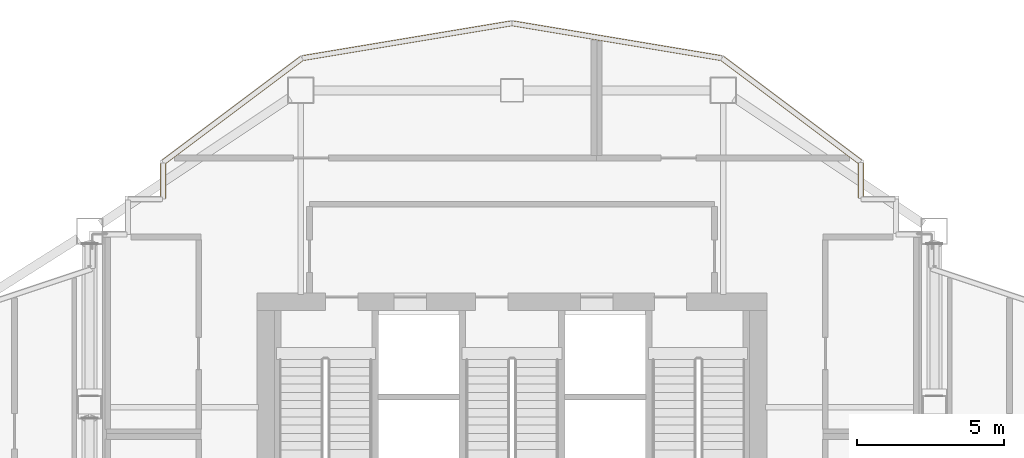
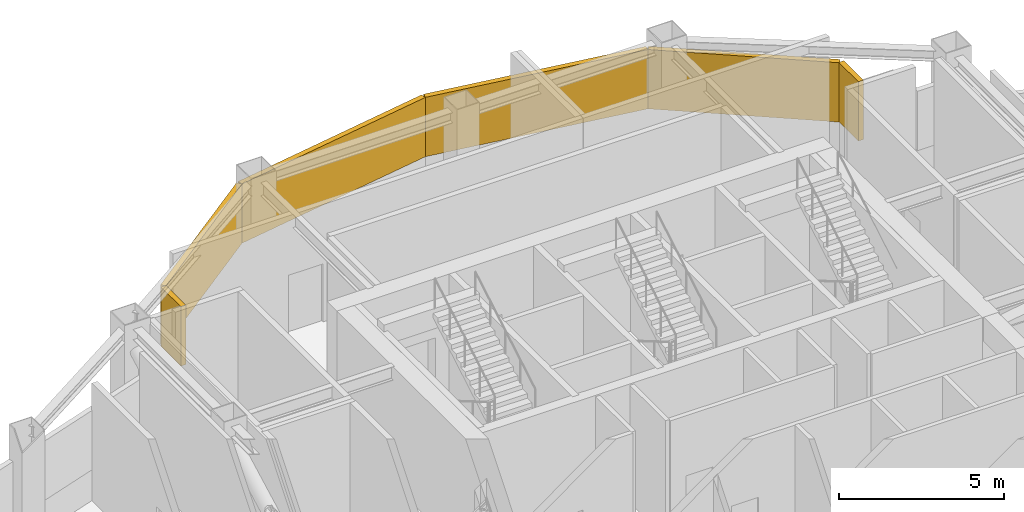
# One storey, part 19 of 19: 6 shading devices.
"""IFC4 building model written with IfcOpenShell, lengths in metres."""

import ifcopenshell
import ifcopenshell.guid

model = None  # the IFC model being written
_history = None  # IfcOwnerHistory: only IFC2X3 demands one
_inside = {}  # id of a spatial element -> (the spatial element, [elements in it])
_under = {}  # id of a project, library or spatial element -> (it, [spatial elements below it])
_declared = {}  # id of a project -> (the project, [libraries it declares])
_typed = {}  # id of a type object -> (the type object, [elements of that type])
_made_of = {}  # id of a material, layer set ... -> (it, [elements and type objects made of it])


def new_model(schema):
    """Start an empty IFC model of exactly this schema.

    Asked for "IFC4X3", IfcOpenShell would pick the latest addendum, in which some entities
    have other attributes; the version numbers below select the first issue.
    IFC2X3 requires an IfcOwnerHistory on every rooted entity: one is made here for all.
    """
    global model, _history
    if schema == "IFC4X3":
        model = ifcopenshell.file(schema_version=(4, 3, 0, 0))
    else:
        model = ifcopenshell.file(schema=schema)
    _inside.clear()
    _under.clear()
    _declared.clear()
    _typed.clear()
    _made_of.clear()
    _history = None
    if model.schema == "IFC2X3":
        org = make("IfcOrganization", Name="unknown")
        user = make(
            "IfcPersonAndOrganization",
            ThePerson=make("IfcPerson", FamilyName="unknown"),
            TheOrganization=org,
        )
        app = make(
            "IfcApplication",
            ApplicationDeveloper=org,
            Version="unknown",
            ApplicationFullName="unknown",
            ApplicationIdentifier="unknown",
        )
        _history = make(
            "IfcOwnerHistory",
            OwningUser=user,
            OwningApplication=app,
            ChangeAction="ADDED",
            CreationDate=0,
        )
    return model


def make(cls, **values):
    """One entity of the class cls with the attributes given. An attribute that is None is left unset."""
    return model.create_entity(
        cls, **{name: value for name, value in values.items() if value is not None}
    )


def rooted(cls, **values):
    """An entity with a GlobalId (a new one), such as an element, a storey or a relation."""
    return make(cls, GlobalId=ifcopenshell.guid.new(), OwnerHistory=_history, **values)


def si_unit(unit_type, name, prefix=None):
    """IfcSIUnit, for example si_unit("LENGTHUNIT", "METRE", prefix="MILLI")."""
    return make("IfcSIUnit", UnitType=unit_type, Prefix=prefix, Name=name)


def assignment(units):
    """IfcUnitAssignment: the units of a project."""
    return None if units is None else make("IfcUnitAssignment", Units=units)


def point(xyz):
    """IfcCartesianPoint."""
    return None if xyz is None else make("IfcCartesianPoint", Coordinates=xyz)


def direction(xyz):
    """IfcDirection."""
    return None if xyz is None else make("IfcDirection", DirectionRatios=xyz)


def frame(location, z_axis=None, x_axis=None):
    """IfcAxis2Placement3D, a coordinate frame: its origin and axes. An axis left out is left unset."""
    return make(
        "IfcAxis2Placement3D",
        Location=point(location),
        Axis=direction(z_axis),
        RefDirection=direction(x_axis),
    )


def frame_2d(location, x_axis=None):
    """IfcAxis2Placement2D, a coordinate frame in the plane: its origin and x axis."""
    return make(
        "IfcAxis2Placement2D", Location=point(location), RefDirection=direction(x_axis)
    )


def origin():
    """The frame at (0, 0, 0) with its axes left unset."""
    return frame((0.0, 0.0, 0.0))


def origin_2d():
    """The frame at (0, 0) in the plane with its x axis left unset."""
    return frame_2d((0.0, 0.0))


def place(relative_to, where):
    """IfcLocalPlacement: puts the frame where relative to a parent placement (None: the world)."""
    return make(
        "IfcLocalPlacement", PlacementRelTo=relative_to, RelativePlacement=where
    )


def context(
    kind, dimensions, precision=None, world=None, true_north=None, identifier=None
):
    """IfcGeometricRepresentationContext, for example the 3D "Model" context."""
    return make(
        "IfcGeometricRepresentationContext",
        ContextIdentifier=identifier,
        ContextType=kind,
        CoordinateSpaceDimension=dimensions,
        Precision=precision,
        WorldCoordinateSystem=world,
        TrueNorth=true_north,
    )


def subcontext(parent, identifier, kind, view, scale=None):
    """IfcGeometricRepresentationSubContext, for example "Body" below "Model"."""
    return make(
        "IfcGeometricRepresentationSubContext",
        ContextIdentifier=identifier,
        ContextType=kind,
        ParentContext=parent,
        TargetScale=scale,
        TargetView=view,
    )


def project(units=None, contexts=None):
    """IfcProject with its units and contexts."""
    return rooted(
        "IfcProject",
        Name="project",
        RepresentationContexts=contexts,
        UnitsInContext=assignment(units),
    )


def spatial(cls, under=None, at=None, **own):
    """A site, building, storey or space (cls), placed at a placement, below another one or the project."""
    s = rooted(cls, ObjectPlacement=at, **own)
    if under is not None:
        _under.setdefault(under.id(), (under, []))[1].append(s)
    return s


def profile(cls, at=None, kind="AREA", **sizes):
    """A parametric profile (cls). Its sizes go by their IFC names, for example OverallWidth=200.0."""
    return make(cls, ProfileType=kind, Position=at, **sizes)


def rectangle(**sizes):
    """IfcRectangleProfileDef."""
    return profile("IfcRectangleProfileDef", **sizes)


def extrude(swept, where, along, depth):
    """IfcExtrudedAreaSolid: the profile swept, set in the frame where, extruded along a direction by depth."""
    return make(
        "IfcExtrudedAreaSolid",
        SweptArea=swept,
        Position=where,
        ExtrudedDirection=direction(along),
        Depth=depth,
    )


def shape(context_of_items, identifier, shape_type, items):
    """IfcShapeRepresentation: the items that make up one representation, for example the "Body"."""
    return make(
        "IfcShapeRepresentation",
        ContextOfItems=context_of_items,
        RepresentationIdentifier=identifier,
        RepresentationType=shape_type,
        Items=items,
    )


def material(Name=None, Category=None):
    """IfcMaterial."""
    return make("IfcMaterial", Name=Name, Category=Category)


def made_of(thing, what):
    """Note that an element or type object is made of a material, layer set ...; save() writes the relation."""
    if what is not None:
        _made_of.setdefault(what.id(), (what, []))[1].append(thing)
    return thing


def type_object(cls, material=None, **own):
    """A type object (cls), such as IfcWallType, which elements share."""
    return made_of(rooted(cls, **own), material)


def element(
    cls,
    number,
    at=None,
    inside=None,
    cuts=None,
    type_object=None,
    material=None,
    context=None,
    identifier="Body",
    shape_type=None,
    held_by="IfcProductDefinitionShape",
    body=None,
    shapes=None,
    **own,
):
    """One element of the class cls, such as IfcWall. Its Tag is "e" and its number.

    at: its placement. inside: the storey or other place that contains it. cuts: it is an
    opening in that element (IfcRelVoidsElement). A single representation is given by context,
    identifier, shape_type and body (its items); several are given by shapes. held_by: the class
    of the entity that holds the representations. save() writes the other relations.
    """
    e = rooted(cls, Tag="e%d" % number, ObjectPlacement=at, **own)
    if body is not None:
        shapes = [shape(context, identifier, shape_type, body)]
    if shapes is not None:
        e.Representation = make(held_by, Representations=shapes)
    if inside is not None:
        _inside.setdefault(inside.id(), (inside, []))[1].append(e)
    if cuts is not None:
        rooted(
            "IfcRelVoidsElement", RelatingBuildingElement=cuts, RelatedOpeningElement=e
        )
    if type_object is not None:
        _typed.setdefault(type_object.id(), (type_object, []))[1].append(e)
    return made_of(e, material)


def aggregate(whole, parts):
    """IfcRelAggregates: a whole, such as a stair, and the parts it consists of."""
    return rooted("IfcRelAggregates", RelatingObject=whole, RelatedObjects=parts)


def save(model, path):
    """Write the relations noted so far, then the file.

    IfcRelAggregates (storeys below a building ...), IfcRelContainedInSpatialStructure (elements
    in a storey), IfcRelDefinesByType, IfcRelAssociatesMaterial and IfcRelDeclares: one each for
    every whole, place, type object, material and project.
    """
    for whole, parts in _under.values():
        aggregate(whole, parts)
    for where, things in _inside.values():
        rooted(
            "IfcRelContainedInSpatialStructure",
            RelatedElements=things,
            RelatingStructure=where,
        )
    for kind, things in _typed.values():
        rooted("IfcRelDefinesByType", RelatedObjects=things, RelatingType=kind)
    for what, things in _made_of.values():
        rooted("IfcRelAssociatesMaterial", RelatedObjects=things, RelatingMaterial=what)
    for by, libraries in _declared.values():
        rooted("IfcRelDeclares", RelatingContext=by, RelatedDefinitions=libraries)
    model.write(path)


model = new_model("IFC4")

# Units and contexts
model_context = context("Model", 3, precision=1e-05, world=origin(), true_north=direction((0.0, 1.0)))
body_context = subcontext(model_context, "Body", "Model", "MODEL_VIEW")
ifc_project = project(units=[si_unit("LENGTHUNIT", "METRE"), si_unit("AREAUNIT", "SQUARE_METRE"), si_unit("VOLUMEUNIT", "CUBIC_METRE"), si_unit("PLANEANGLEUNIT", "RADIAN"), si_unit("MASSUNIT", "GRAM", prefix="KILO")], contexts=[model_context])

# Site, building, storey
site_placement = place(None, origin())
site = spatial("IfcSite", under=ifc_project, at=site_placement, CompositionType="ELEMENT")
building_placement = place(site_placement, origin())
building = spatial("IfcBuilding", under=site, at=building_placement, Name="Haolan Belvedere Tower", CompositionType="ELEMENT")
storey_placement = place(building_placement, frame((0.0, 0.0, 230.60009765625)))
storey = spatial("IfcBuildingStorey", under=building, at=storey_placement, Name="L58", CompositionType="ELEMENT", Elevation=230.60009765625)

# Shading devices
ifc_material = material(Name="Anodised champagne-silver aluminium 6063-T6", Category="aluminium")
shading_device_type = type_object("IfcShadingDeviceType", Name="SHD-LOUV-180", PredefinedType="JALOUSIE", material=ifc_material)
shading_device_1_placement = place(storey_placement, frame((50.2900390625, 47.33251953125, 1.14990234375), z_axis=(0.0, 0.0, 1.0), x_axis=(0.0, 1.0, 0.0)))
element("IfcShadingDevice", 1, at=shading_device_1_placement, inside=storey, type_object=shading_device_type, Name="L58 refuge storm-proof louvre bank 19.1", PredefinedType="JALOUSIE", context=body_context, shape_type="SweptSolid", body=[
    extrude(rectangle(XDim=1.18505859375, YDim=0.179931640625, at=origin_2d()), origin(), (0.0, 0.0, 1.0), 2.199951171875),
])
shading_device_2_placement = place(storey_placement, frame((47.916748046875, 49.724853515625, 1.14990234375), z_axis=(0.0, 0.0, 1.0), x_axis=(-0.799998928149, 0.600001429133, 0.0)))
element("IfcShadingDevice", 2, at=shading_device_2_placement, inside=storey, type_object=shading_device_type, Name="L58 refuge storm-proof louvre bank 20.1", PredefinedType="JALOUSIE", context=body_context, shape_type="SweptSolid", body=[
    extrude(rectangle(XDim=5.863037109375, YDim=0.179931640625, at=origin_2d()), origin(), (0.0, 0.0, 1.0), 2.199951171875),
])
for number, where, z_axis, x_axis, name in (
    (3, (41.977783203125, 52.09228515625, 1.14990234375), (0.0, 0.0, 1.0), (-0.986394848329, 0.164393440227, 0.0), "L58 refuge storm-proof louvre bank 21.1"),
    (4, (34.822265625, 52.09228515625, 1.14990234375), (0.0, 0.0, 1.0), (-0.986394848329, -0.164393440227, 0.0), "L58 refuge storm-proof louvre bank 22.1"),
):
    element("IfcShadingDevice", number, at=place(storey_placement, frame(where, z_axis=z_axis, x_axis=x_axis)), inside=storey, type_object=shading_device_type, Name=name, PredefinedType="JALOUSIE", context=body_context, shape_type="SweptSolid", body=[
        extrude(rectangle(XDim=7.214111328125, YDim=0.179931640625, at=origin_2d()), origin(), (0.0, 0.0, 1.0), 2.199951171875),
    ])
shading_device_3_placement = place(storey_placement, frame((28.877197265625, 49.720458984375, 1.14990234375), z_axis=(0.0, 0.0, 1.0), x_axis=(-0.799998928149, -0.600001429133, 0.0)))
element("IfcShadingDevice", 5, at=shading_device_3_placement, inside=storey, type_object=shading_device_type, Name="L58 refuge storm-proof louvre bank 23.1", PredefinedType="JALOUSIE", context=body_context, shape_type="SweptSolid", body=[
    extrude(rectangle(XDim=5.878173828125, YDim=0.179931640625, at=origin_2d()), origin(), (0.0, 0.0, 1.0), 2.199951171875),
])
shading_device_4_placement = place(storey_placement, frame((26.510009765625, 47.31005859375, 1.14990234375), z_axis=(0.0, 0.0, 1.0), x_axis=(0.0, -1.0, 0.0)))
element("IfcShadingDevice", 6, at=shading_device_4_placement, inside=storey, type_object=shading_device_type, Name="L58 refuge storm-proof louvre bank 24.1", PredefinedType="JALOUSIE", context=body_context, shape_type="SweptSolid", body=[
    extrude(rectangle(XDim=1.199951171875, YDim=0.179931640625, at=origin_2d()), origin(), (0.0, 0.0, 1.0), 2.199951171875),
])

save(model, "model.ifc")
